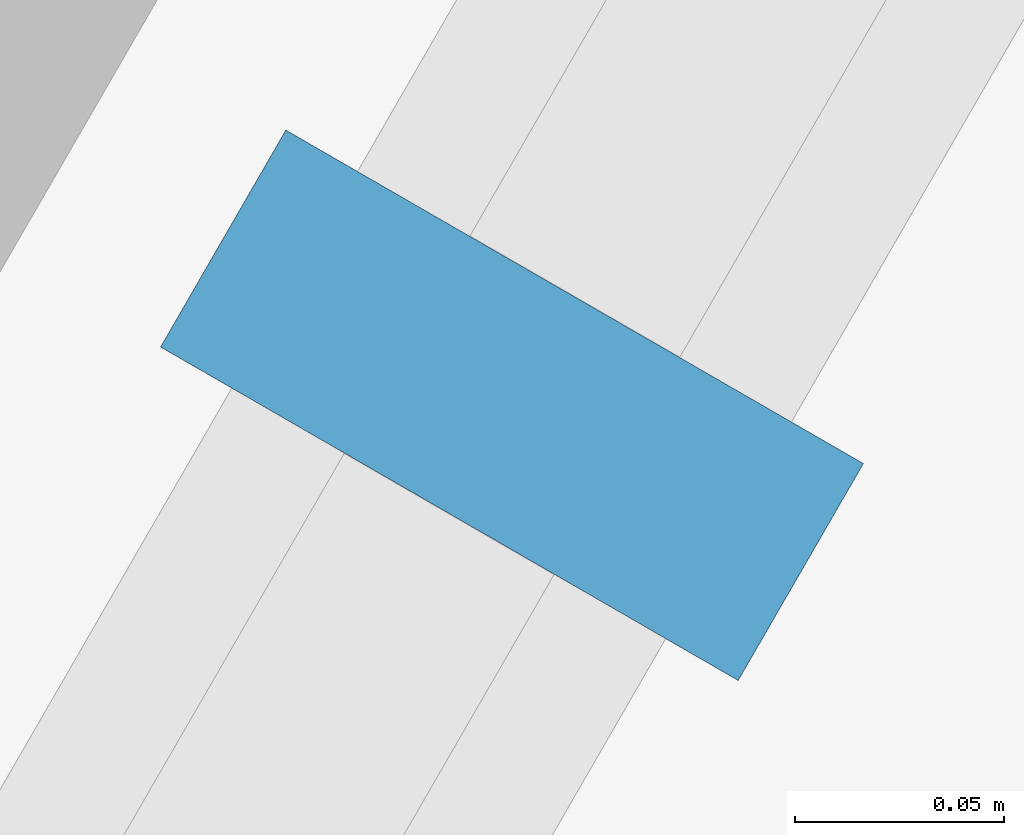
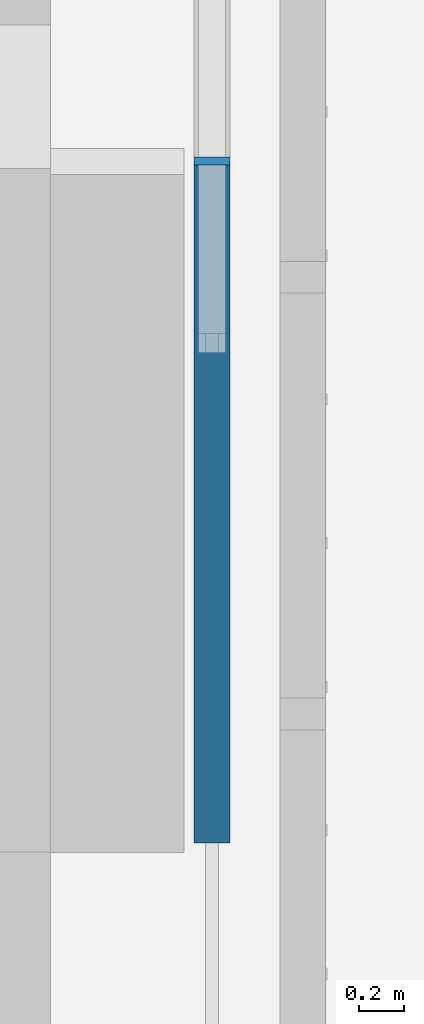
# One storey, part 39 of 127: 1 member, 1 element without a shape of its own.
"""IFC4 building model written with IfcOpenShell, lengths in metres."""

from ifc_helpers import new_model, si_unit, direction, frame, origin, origin_2d, place, context, subcontext, project, spatial, rectangle, extrude, material, material_profile, profile_set, type_object, element, aggregate, save


model = new_model("IFC4")

# Units and contexts
model_context = context("Model", 3, precision=1e-05, world=origin(), true_north=direction((0.0, 1.0)))
body_context = subcontext(model_context, "Body", "Model", "MODEL_VIEW")
ifc_project = project(units=[si_unit("LENGTHUNIT", "METRE"), si_unit("AREAUNIT", "SQUARE_METRE"), si_unit("VOLUMEUNIT", "CUBIC_METRE"), si_unit("PLANEANGLEUNIT", "RADIAN"), si_unit("MASSUNIT", "GRAM", prefix="KILO")], contexts=[model_context])

# Site, building, storey
site_placement = place(None, origin())
site = spatial("IfcSite", under=ifc_project, at=site_placement, CompositionType="ELEMENT")
building_placement = place(site_placement, origin())
building = spatial("IfcBuilding", under=site, at=building_placement, Name="Sandreach Pilgrim Tower", CompositionType="ELEMENT")
storey_placement = place(building_placement, frame((0.0, 0.0, 257.0)))
storey = spatial("IfcBuildingStorey", under=building, at=storey_placement, Name="L64", CompositionType="ELEMENT", Elevation=257.0)

# Curtain wall, member
ifc_material_1 = material(Name="Aluminium framed curtain wall", Category="aluminium")
curtain_wall_type = type_object("IfcCurtainWallType", Name="Suite tower curtain wall", PredefinedType="NOTDEFINED", material=ifc_material_1)
curtain_wall_placement = place(storey_placement, origin())
curtain_wall = element("IfcCurtainWall", 1, at=curtain_wall_placement, inside=storey, type_object=curtain_wall_type, Name="CW-4 L64 SE", PredefinedType="NOTDEFINED")
ifc_material_2 = material(Name="Aluminium extrusion", Category="aluminium")
ifc_material_profile = material_profile(ifc_material_2, rectangle(XDim=0.06005859375, YDim=0.159912109375, at=origin_2d()), Name="CW-4M 60X160")
ifc_profile_set = profile_set([ifc_material_profile], Name="Aluminium extrusion")
member_type = type_object("IfcMemberType", Name="CW-4 mullion", PredefinedType="MULLION", material=ifc_profile_set)
member_placement = place(storey_placement, frame((14.453857421875, -14.6181640625, 0.0), z_axis=(0.0, 0.0, 1.0), x_axis=(-0.5, -0.866025403784, 0.0)))
member = element("IfcMember", 2, at=member_placement, type_object=member_type, Name="CW-4 mullion 7", PredefinedType="MULLION", context=body_context, shape_type="SweptSolid", body=[
    extrude(rectangle(XDim=0.06005859375, YDim=0.159912109375, at=origin_2d()), origin(), (0.0, 0.0, 1.0), 3.639892578125),
])
aggregate(curtain_wall, [member])

save(model, "model.ifc")
